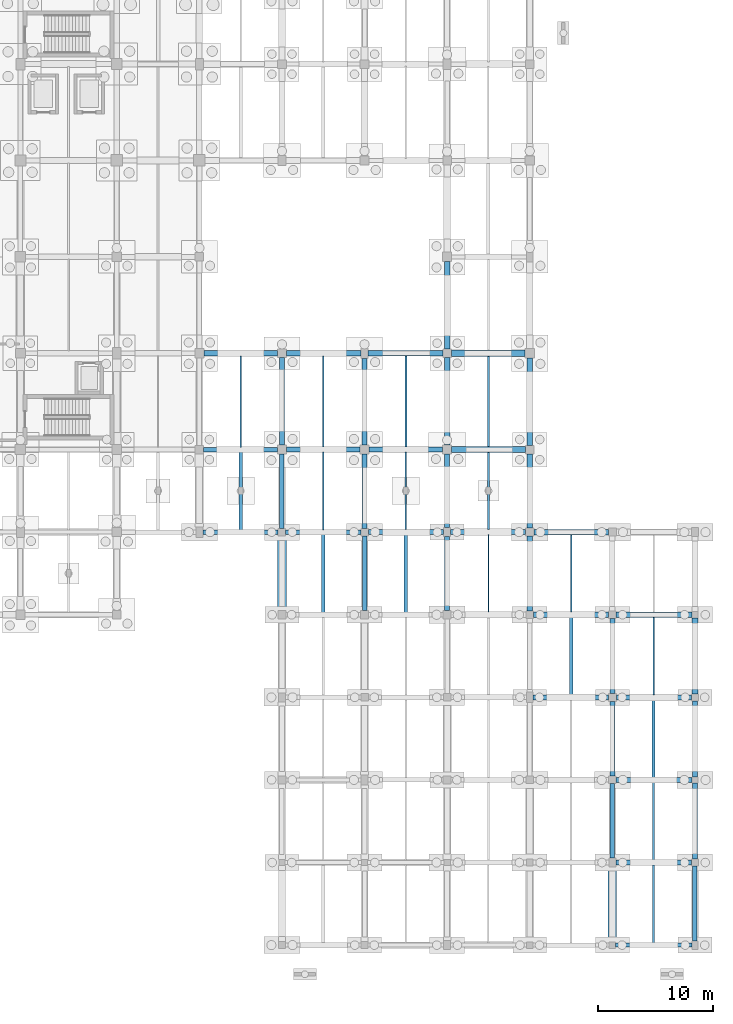
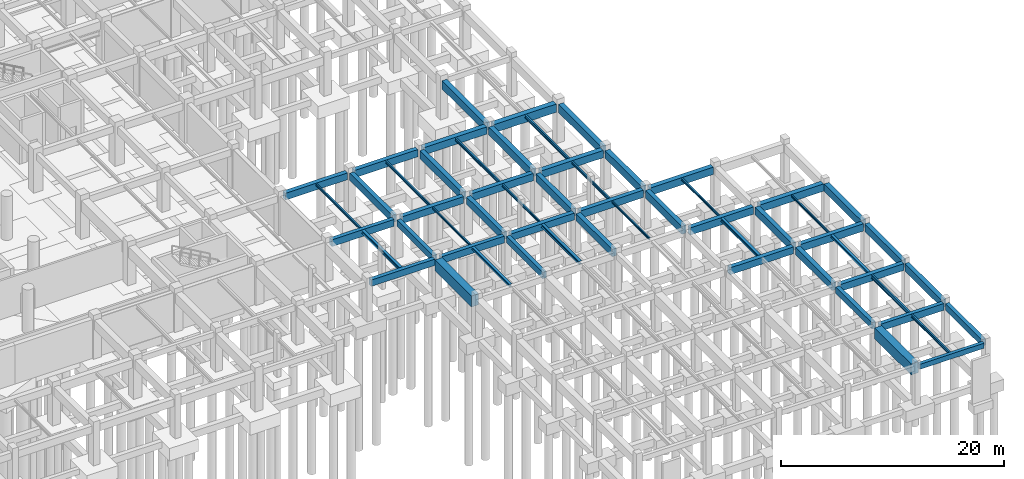
# One storey, part 27 of 44: 58 beams.
"""IFC4 building model written with IfcOpenShell, lengths in metres."""

import ifcopenshell
import ifcopenshell.guid

model = None  # the IFC model being written
_history = None  # IfcOwnerHistory: only IFC2X3 demands one
_inside = {}  # id of a spatial element -> (the spatial element, [elements in it])
_under = {}  # id of a project, library or spatial element -> (it, [spatial elements below it])
_declared = {}  # id of a project -> (the project, [libraries it declares])
_typed = {}  # id of a type object -> (the type object, [elements of that type])
_made_of = {}  # id of a material, layer set ... -> (it, [elements and type objects made of it])


def new_model(schema):
    """Start an empty IFC model of exactly this schema.

    Asked for "IFC4X3", IfcOpenShell would pick the latest addendum, in which some entities
    have other attributes; the version numbers below select the first issue.
    IFC2X3 requires an IfcOwnerHistory on every rooted entity: one is made here for all.
    """
    global model, _history
    if schema == "IFC4X3":
        model = ifcopenshell.file(schema_version=(4, 3, 0, 0))
    else:
        model = ifcopenshell.file(schema=schema)
    _inside.clear()
    _under.clear()
    _declared.clear()
    _typed.clear()
    _made_of.clear()
    _history = None
    if model.schema == "IFC2X3":
        org = make("IfcOrganization", Name="unknown")
        user = make(
            "IfcPersonAndOrganization",
            ThePerson=make("IfcPerson", FamilyName="unknown"),
            TheOrganization=org,
        )
        app = make(
            "IfcApplication",
            ApplicationDeveloper=org,
            Version="unknown",
            ApplicationFullName="unknown",
            ApplicationIdentifier="unknown",
        )
        _history = make(
            "IfcOwnerHistory",
            OwningUser=user,
            OwningApplication=app,
            ChangeAction="ADDED",
            CreationDate=0,
        )
    return model


def make(cls, **values):
    """One entity of the class cls with the attributes given. An attribute that is None is left unset."""
    return model.create_entity(
        cls, **{name: value for name, value in values.items() if value is not None}
    )


def rooted(cls, **values):
    """An entity with a GlobalId (a new one), such as an element, a storey or a relation."""
    return make(cls, GlobalId=ifcopenshell.guid.new(), OwnerHistory=_history, **values)


def si_unit(unit_type, name, prefix=None):
    """IfcSIUnit, for example si_unit("LENGTHUNIT", "METRE", prefix="MILLI")."""
    return make("IfcSIUnit", UnitType=unit_type, Prefix=prefix, Name=name)


def assignment(units):
    """IfcUnitAssignment: the units of a project."""
    return None if units is None else make("IfcUnitAssignment", Units=units)


def point(xyz):
    """IfcCartesianPoint."""
    return None if xyz is None else make("IfcCartesianPoint", Coordinates=xyz)


def direction(xyz):
    """IfcDirection."""
    return None if xyz is None else make("IfcDirection", DirectionRatios=xyz)


def frame(location, z_axis=None, x_axis=None):
    """IfcAxis2Placement3D, a coordinate frame: its origin and axes. An axis left out is left unset."""
    return make(
        "IfcAxis2Placement3D",
        Location=point(location),
        Axis=direction(z_axis),
        RefDirection=direction(x_axis),
    )


def frame_2d(location, x_axis=None):
    """IfcAxis2Placement2D, a coordinate frame in the plane: its origin and x axis."""
    return make(
        "IfcAxis2Placement2D", Location=point(location), RefDirection=direction(x_axis)
    )


def origin():
    """The frame at (0, 0, 0) with its axes left unset."""
    return frame((0.0, 0.0, 0.0))


def origin_2d():
    """The frame at (0, 0) in the plane with its x axis left unset."""
    return frame_2d((0.0, 0.0))


def place(relative_to, where):
    """IfcLocalPlacement: puts the frame where relative to a parent placement (None: the world)."""
    return make(
        "IfcLocalPlacement", PlacementRelTo=relative_to, RelativePlacement=where
    )


def context(
    kind, dimensions, precision=None, world=None, true_north=None, identifier=None
):
    """IfcGeometricRepresentationContext, for example the 3D "Model" context."""
    return make(
        "IfcGeometricRepresentationContext",
        ContextIdentifier=identifier,
        ContextType=kind,
        CoordinateSpaceDimension=dimensions,
        Precision=precision,
        WorldCoordinateSystem=world,
        TrueNorth=true_north,
    )


def subcontext(parent, identifier, kind, view, scale=None):
    """IfcGeometricRepresentationSubContext, for example "Body" below "Model"."""
    return make(
        "IfcGeometricRepresentationSubContext",
        ContextIdentifier=identifier,
        ContextType=kind,
        ParentContext=parent,
        TargetScale=scale,
        TargetView=view,
    )


def project(units=None, contexts=None):
    """IfcProject with its units and contexts."""
    return rooted(
        "IfcProject",
        Name="project",
        RepresentationContexts=contexts,
        UnitsInContext=assignment(units),
    )


def spatial(cls, under=None, at=None, **own):
    """A site, building, storey or space (cls), placed at a placement, below another one or the project."""
    s = rooted(cls, ObjectPlacement=at, **own)
    if under is not None:
        _under.setdefault(under.id(), (under, []))[1].append(s)
    return s


def profile(cls, at=None, kind="AREA", **sizes):
    """A parametric profile (cls). Its sizes go by their IFC names, for example OverallWidth=200.0."""
    return make(cls, ProfileType=kind, Position=at, **sizes)


def rectangle(**sizes):
    """IfcRectangleProfileDef."""
    return profile("IfcRectangleProfileDef", **sizes)


def i_section(**sizes):
    """IfcIShapeProfileDef."""
    return profile("IfcIShapeProfileDef", **sizes)


def extrude(swept, where, along, depth):
    """IfcExtrudedAreaSolid: the profile swept, set in the frame where, extruded along a direction by depth."""
    return make(
        "IfcExtrudedAreaSolid",
        SweptArea=swept,
        Position=where,
        ExtrudedDirection=direction(along),
        Depth=depth,
    )


def shape(context_of_items, identifier, shape_type, items):
    """IfcShapeRepresentation: the items that make up one representation, for example the "Body"."""
    return make(
        "IfcShapeRepresentation",
        ContextOfItems=context_of_items,
        RepresentationIdentifier=identifier,
        RepresentationType=shape_type,
        Items=items,
    )


def material(Name=None, Category=None):
    """IfcMaterial."""
    return make("IfcMaterial", Name=Name, Category=Category)


def material_profile(
    of_material, cross_section, Name=None, Category=None, Priority=None
):
    """IfcMaterialProfile: a cross section and its material."""
    return make(
        "IfcMaterialProfile",
        Name=Name,
        Material=of_material,
        Profile=cross_section,
        Priority=Priority,
        Category=Category,
    )


def profile_set(profiles, Name=None, composite=None):
    """IfcMaterialProfileSet."""
    return make(
        "IfcMaterialProfileSet",
        Name=Name,
        MaterialProfiles=profiles,
        CompositeProfile=composite,
    )


def made_of(thing, what):
    """Note that an element or type object is made of a material, layer set ...; save() writes the relation."""
    if what is not None:
        _made_of.setdefault(what.id(), (what, []))[1].append(thing)
    return thing


def type_object(cls, material=None, **own):
    """A type object (cls), such as IfcWallType, which elements share."""
    return made_of(rooted(cls, **own), material)


def element(
    cls,
    number,
    at=None,
    inside=None,
    cuts=None,
    type_object=None,
    material=None,
    context=None,
    identifier="Body",
    shape_type=None,
    held_by="IfcProductDefinitionShape",
    body=None,
    shapes=None,
    **own,
):
    """One element of the class cls, such as IfcWall. Its Tag is "e" and its number.

    at: its placement. inside: the storey or other place that contains it. cuts: it is an
    opening in that element (IfcRelVoidsElement). A single representation is given by context,
    identifier, shape_type and body (its items); several are given by shapes. held_by: the class
    of the entity that holds the representations. save() writes the other relations.
    """
    e = rooted(cls, Tag="e%d" % number, ObjectPlacement=at, **own)
    if body is not None:
        shapes = [shape(context, identifier, shape_type, body)]
    if shapes is not None:
        e.Representation = make(held_by, Representations=shapes)
    if inside is not None:
        _inside.setdefault(inside.id(), (inside, []))[1].append(e)
    if cuts is not None:
        rooted(
            "IfcRelVoidsElement", RelatingBuildingElement=cuts, RelatedOpeningElement=e
        )
    if type_object is not None:
        _typed.setdefault(type_object.id(), (type_object, []))[1].append(e)
    return made_of(e, material)


def aggregate(whole, parts):
    """IfcRelAggregates: a whole, such as a stair, and the parts it consists of."""
    return rooted("IfcRelAggregates", RelatingObject=whole, RelatedObjects=parts)


def save(model, path):
    """Write the relations noted so far, then the file.

    IfcRelAggregates (storeys below a building ...), IfcRelContainedInSpatialStructure (elements
    in a storey), IfcRelDefinesByType, IfcRelAssociatesMaterial and IfcRelDeclares: one each for
    every whole, place, type object, material and project.
    """
    for whole, parts in _under.values():
        aggregate(whole, parts)
    for where, things in _inside.values():
        rooted(
            "IfcRelContainedInSpatialStructure",
            RelatedElements=things,
            RelatingStructure=where,
        )
    for kind, things in _typed.values():
        rooted("IfcRelDefinesByType", RelatedObjects=things, RelatingType=kind)
    for what, things in _made_of.values():
        rooted("IfcRelAssociatesMaterial", RelatedObjects=things, RelatingMaterial=what)
    for by, libraries in _declared.values():
        rooted("IfcRelDeclares", RelatingContext=by, RelatedDefinitions=libraries)
    model.write(path)


model = new_model("IFC4")

# Units and contexts
model_context = context("Model", 3, precision=1e-05, world=origin(), true_north=direction((0.0, 1.0)))
body_context = subcontext(model_context, "Body", "Model", "MODEL_VIEW")
ifc_project = project(units=[si_unit("LENGTHUNIT", "METRE"), si_unit("AREAUNIT", "SQUARE_METRE"), si_unit("VOLUMEUNIT", "CUBIC_METRE"), si_unit("PLANEANGLEUNIT", "RADIAN"), si_unit("MASSUNIT", "GRAM", prefix="KILO")], contexts=[model_context])

# Site, building, storey
site_placement = place(None, origin())
site = spatial("IfcSite", under=ifc_project, at=site_placement, CompositionType="ELEMENT")
building_placement = place(site_placement, origin())
building = spatial("IfcBuilding", under=site, at=building_placement, Name="Korsvaeld Concert Hall", CompositionType="ELEMENT")
storey_placement = place(building_placement, frame((0.0, 0.0, -4.800048828125)))
storey = spatial("IfcBuildingStorey", under=building, at=storey_placement, Name="B1", CompositionType="ELEMENT", Elevation=-4.800048828125)

# Beams
ifc_material_1 = material(Name="Concrete C35/45", Category="concrete")
ifc_material_profile_1 = material_profile(ifc_material_1, rectangle(XDim=0.39990234375, YDim=0.699951171875, at=origin_2d()), Name="RC 400x700")
ifc_profile_set_1 = profile_set([ifc_material_profile_1], Name="Concrete C35/45")
beam_type_1 = type_object("IfcBeamType", Name="BM-RC-400x700", PredefinedType="T_BEAM", material=ifc_profile_set_1)
beam_1_placement = place(storey_placement, frame((125.10009765625, 36.0, 3.900146484375), z_axis=(1.0, 0.0, 0.0), x_axis=(0.0, 1.0, 0.0)))
element("IfcBeam", 1, at=beam_1_placement, inside=storey, type_object=beam_type_1, Name="Primary girder 17-18/F B1", PredefinedType="T_BEAM", context=body_context, shape_type="SweptSolid", body=[
    extrude(rectangle(XDim=0.39990234375, YDim=0.699951171875, at=origin_2d()), origin(), (0.0, 0.0, 1.0), 6.574951171875),
])
beam_2_placement = place(storey_placement, frame((132.0, 36.324951171875, 3.900146484375), z_axis=(0.0, 1.0, 0.0), x_axis=(-1.0, 0.0, 0.0)))
element("IfcBeam", 2, at=beam_2_placement, inside=storey, type_object=beam_type_1, Name="Primary girder 18/F-G B1", PredefinedType="T_BEAM", context=body_context, shape_type="SweptSolid", body=[
    extrude(rectangle(XDim=0.39990234375, YDim=0.699951171875, at=origin_2d()), origin(), (0.0, 0.0, 1.0), 6.47509765625),
])
beam_3_placement = place(storey_placement, frame((139.199951171875, 29.14990234375, 3.900146484375), z_axis=(0.0, 1.0, 0.0), x_axis=(-1.0, 0.0, 0.0)))
element("IfcBeam", 3, at=beam_3_placement, inside=storey, type_object=beam_type_1, Name="Primary girder 19/E-F B1", PredefinedType="T_BEAM", context=body_context, shape_type="SweptSolid", body=[
    extrude(rectangle(XDim=0.39990234375, YDim=0.699951171875, at=origin_2d()), origin(), (0.0, 0.0, 1.0), 6.525146484375),
])
beam_4_placement = place(storey_placement, frame((160.800048828125, 7.60009765625, 3.900146484375), z_axis=(0.0, 1.0, 0.0), x_axis=(-1.0, 0.0, 0.0)))
element("IfcBeam", 4, at=beam_4_placement, inside=storey, type_object=beam_type_1, Name="Primary girder 22/B-C B1", PredefinedType="T_BEAM", context=body_context, shape_type="SweptSolid", body=[
    extrude(rectangle(XDim=0.39990234375, YDim=0.699951171875, at=origin_2d()), origin(), (0.0, 0.0, 1.0), 6.474853515625),
])
beam_5_placement = place(storey_placement, frame((168.0, 0.375, 3.900146484375), z_axis=(0.0, 1.0, 0.0), x_axis=(-1.0, 0.0, 0.0)))
element("IfcBeam", 5, at=beam_5_placement, inside=storey, type_object=beam_type_1, Name="Primary girder 23/A-B B1", PredefinedType="T_BEAM", context=body_context, shape_type="SweptSolid", body=[
    extrude(rectangle(XDim=0.39990234375, YDim=0.699951171875, at=origin_2d()), origin(), (0.0, 0.0, 1.0), 6.52490234375),
])
ifc_material_profile_2 = material_profile(ifc_material_1, rectangle(XDim=0.39990234375, YDim=0.75, at=origin_2d()), Name="RC 400x750")
ifc_profile_set_2 = profile_set([ifc_material_profile_2], Name="Concrete C35/45")
beam_type_2 = type_object("IfcBeamType", Name="BM-RC-400x750", PredefinedType="T_BEAM", material=ifc_profile_set_2)
beam_6_placement = place(storey_placement, frame((161.10009765625, 7.199951171875, 3.875), z_axis=(1.0, 0.0, 0.0), x_axis=(0.0, 1.0, 0.0)))
element("IfcBeam", 6, at=beam_6_placement, inside=storey, type_object=beam_type_2, Name="Primary girder 22-23/B B1", PredefinedType="T_BEAM", context=body_context, shape_type="SweptSolid", body=[
    extrude(rectangle(XDim=0.39990234375, YDim=0.75, at=origin_2d()), origin(), (0.0, 0.0, 1.0), 6.599853515625),
])
beam_7_placement = place(storey_placement, frame((132.324951171875, 36.0, 3.875), z_axis=(1.0, 0.0, 0.0), x_axis=(0.0, 1.0, 0.0)))
element("IfcBeam", 7, at=beam_7_placement, inside=storey, type_object=beam_type_2, Name="Primary girder 18-19/F B1", PredefinedType="T_BEAM", context=body_context, shape_type="SweptSolid", body=[
    extrude(rectangle(XDim=0.39990234375, YDim=0.75, at=origin_2d()), origin(), (0.0, 0.0, 1.0), 6.550048828125),
])
beam_8_placement = place(storey_placement, frame((125.175048828125, 43.199951171875, 3.875), z_axis=(1.0, 0.0, 0.0), x_axis=(0.0, 1.0, 0.0)))
element("IfcBeam", 8, at=beam_8_placement, inside=storey, type_object=beam_type_2, Name="Primary girder 17-18/G B1", PredefinedType="T_BEAM", context=body_context, shape_type="SweptSolid", body=[
    extrude(rectangle(XDim=0.39990234375, YDim=0.75, at=origin_2d()), origin(), (0.0, 0.0, 1.0), 6.425048828125),
])
ifc_material_profile_3 = material_profile(ifc_material_1, rectangle(XDim=0.449951171875, YDim=0.75, at=origin_2d()), Name="RC 450x750")
ifc_profile_set_3 = profile_set([ifc_material_profile_3], Name="Concrete C35/45")
beam_type_3 = type_object("IfcBeamType", Name="BM-RC-450x750", PredefinedType="T_BEAM", material=ifc_profile_set_3)
beam_9_placement = place(storey_placement, frame((161.125, 14.39990234375, 3.875), z_axis=(1.0, 0.0, 0.0), x_axis=(0.0, 1.0, 0.0)))
element("IfcBeam", 9, at=beam_9_placement, inside=storey, type_object=beam_type_3, Name="Primary girder 22-23/C B1", PredefinedType="T_BEAM", context=body_context, shape_type="SweptSolid", body=[
    extrude(rectangle(XDim=0.449951171875, YDim=0.75, at=origin_2d()), origin(), (0.0, 0.0, 1.0), 6.60009765625),
])
beam_10_placement = place(storey_placement, frame((153.89990234375, 21.60009765625, 3.875), z_axis=(1.0, 0.0, 0.0), x_axis=(0.0, 1.0, 0.0)))
element("IfcBeam", 10, at=beam_10_placement, inside=storey, type_object=beam_type_3, Name="Primary girder 21-22/D B1", PredefinedType="T_BEAM", context=body_context, shape_type="SweptSolid", body=[
    extrude(rectangle(XDim=0.449951171875, YDim=0.75, at=origin_2d()), origin(), (0.0, 0.0, 1.0), 6.550048828125),
])
beam_11_placement = place(storey_placement, frame((139.52490234375, 36.0, 3.875), z_axis=(1.0, 0.0, 0.0), x_axis=(0.0, 1.0, 0.0)))
element("IfcBeam", 11, at=beam_11_placement, inside=storey, type_object=beam_type_3, Name="Primary girder 19-20/F B1", PredefinedType="T_BEAM", context=body_context, shape_type="SweptSolid", body=[
    extrude(rectangle(XDim=0.449951171875, YDim=0.75, at=origin_2d()), origin(), (0.0, 0.0, 1.0), 6.5751953125),
])
beam_12_placement = place(storey_placement, frame((132.39990234375, 43.199951171875, 3.875), z_axis=(1.0, 0.0, 0.0), x_axis=(0.0, 1.0, 0.0)))
element("IfcBeam", 12, at=beam_12_placement, inside=storey, type_object=beam_type_3, Name="Primary girder 18-19/G B1", PredefinedType="T_BEAM", context=body_context, shape_type="SweptSolid", body=[
    extrude(rectangle(XDim=0.449951171875, YDim=0.75, at=origin_2d()), origin(), (0.0, 0.0, 1.0), 6.400146484375),
])
beam_13_placement = place(storey_placement, frame((125.199951171875, 51.60009765625, 3.875), z_axis=(1.0, 0.0, 0.0), x_axis=(0.0, 1.0, 0.0)))
element("IfcBeam", 13, at=beam_13_placement, inside=storey, type_object=beam_type_3, Name="Primary girder 17-18/H B1", PredefinedType="T_BEAM", context=body_context, shape_type="SweptSolid", body=[
    extrude(rectangle(XDim=0.449951171875, YDim=0.75, at=origin_2d()), origin(), (0.0, 0.0, 1.0), 6.425048828125),
])
ifc_material_profile_4 = material_profile(ifc_material_1, rectangle(XDim=0.449951171875, YDim=0.800048828125, at=origin_2d()), Name="RC 450x800")
ifc_profile_set_4 = profile_set([ifc_material_profile_4], Name="Concrete C35/45")
beam_type_4 = type_object("IfcBeamType", Name="BM-RC-450x800", PredefinedType="T_BEAM", material=ifc_profile_set_4)
for number, where, z_axis, x_axis, name in (
    (14, (161.14990234375, 21.60009765625, 3.85009765625), (1.0, 0.0, 0.0), (0.0, 1.0, 0.0), "Primary girder 22-23/D B1"),
    (15, (153.925048828125, 28.800048828125, 3.85009765625), (1.0, 0.0, 0.0), (0.0, 1.0, 0.0), "Primary girder 21-22/E B1"),
    (16, (146.699951171875, 36.0, 3.85009765625), (1.0, 0.0, 0.0), (0.0, 1.0, 0.0), "Primary girder 20-21/F B1"),
):
    element("IfcBeam", number, at=place(storey_placement, frame(where, z_axis=z_axis, x_axis=x_axis)), inside=storey, type_object=beam_type_4, Name=name, PredefinedType="T_BEAM", context=body_context, shape_type="SweptSolid", body=[
        extrude(rectangle(XDim=0.449951171875, YDim=0.800048828125, at=origin_2d()), origin(), (0.0, 0.0, 1.0), 6.550048828125),
    ])
beam_14_placement = place(storey_placement, frame((139.60009765625, 43.199951171875, 3.85009765625), z_axis=(1.0, 0.0, 0.0), x_axis=(0.0, 1.0, 0.0)))
element("IfcBeam", 17, at=beam_14_placement, inside=storey, type_object=beam_type_4, Name="Primary girder 19-20/G B1", PredefinedType="T_BEAM", context=body_context, shape_type="SweptSolid", body=[
    extrude(rectangle(XDim=0.449951171875, YDim=0.800048828125, at=origin_2d()), origin(), (0.0, 0.0, 1.0), 6.39990234375),
])
beam_15_placement = place(storey_placement, frame((132.375, 51.60009765625, 3.85009765625), z_axis=(1.0, 0.0, 0.0), x_axis=(0.0, 1.0, 0.0)))
element("IfcBeam", 18, at=beam_15_placement, inside=storey, type_object=beam_type_4, Name="Primary girder 18-19/H B1", PredefinedType="T_BEAM", context=body_context, shape_type="SweptSolid", body=[
    extrude(rectangle(XDim=0.449951171875, YDim=0.800048828125, at=origin_2d()), origin(), (0.0, 0.0, 1.0), 6.52490234375),
])
beam_16_placement = place(storey_placement, frame((132.0, 43.60009765625, 3.85009765625), z_axis=(0.0, 1.0, 0.0), x_axis=(-1.0, 0.0, 0.0)))
element("IfcBeam", 19, at=beam_16_placement, inside=storey, type_object=beam_type_4, Name="Primary girder 18/G-H B1", PredefinedType="T_BEAM", context=body_context, shape_type="SweptSolid", body=[
    extrude(rectangle(XDim=0.449951171875, YDim=0.800048828125, at=origin_2d()), origin(), (0.0, 0.0, 1.0), 7.625),
])
beam_17_placement = place(storey_placement, frame((139.199951171875, 36.324951171875, 3.85009765625), z_axis=(0.0, 1.0, 0.0), x_axis=(-1.0, 0.0, 0.0)))
element("IfcBeam", 20, at=beam_17_placement, inside=storey, type_object=beam_type_4, Name="Primary girder 19/F-G B1", PredefinedType="T_BEAM", context=body_context, shape_type="SweptSolid", body=[
    extrude(rectangle(XDim=0.449951171875, YDim=0.800048828125, at=origin_2d()), origin(), (0.0, 0.0, 1.0), 6.47509765625),
])
beam_18_placement = place(storey_placement, frame((146.39990234375, 29.14990234375, 3.85009765625), z_axis=(0.0, 1.0, 0.0), x_axis=(-1.0, 0.0, 0.0)))
element("IfcBeam", 21, at=beam_18_placement, inside=storey, type_object=beam_type_4, Name="Primary girder 20/E-F B1", PredefinedType="T_BEAM", context=body_context, shape_type="SweptSolid", body=[
    extrude(rectangle(XDim=0.449951171875, YDim=0.800048828125, at=origin_2d()), origin(), (0.0, 0.0, 1.0), 6.4501953125),
])
beam_19_placement = place(storey_placement, frame((160.800048828125, 14.72509765625, 3.85009765625), z_axis=(0.0, 1.0, 0.0), x_axis=(-1.0, 0.0, 0.0)))
element("IfcBeam", 22, at=beam_19_placement, inside=storey, type_object=beam_type_4, Name="Primary girder 22/C-D B1", PredefinedType="T_BEAM", context=body_context, shape_type="SweptSolid", body=[
    extrude(rectangle(XDim=0.449951171875, YDim=0.800048828125, at=origin_2d()), origin(), (0.0, 0.0, 1.0), 6.52490234375),
])
beam_20_placement = place(storey_placement, frame((168.0, 7.5, 3.85009765625), z_axis=(0.0, 1.0, 0.0), x_axis=(-1.0, 0.0, 0.0)))
element("IfcBeam", 23, at=beam_20_placement, inside=storey, type_object=beam_type_4, Name="Primary girder 23/B-C B1", PredefinedType="T_BEAM", context=body_context, shape_type="SweptSolid", body=[
    extrude(rectangle(XDim=0.449951171875, YDim=0.800048828125, at=origin_2d()), origin(), (0.0, 0.0, 1.0), 6.625),
])
ifc_material_2 = material(Name="Concrete C40/50", Category="concrete")
ifc_material_profile_5 = material_profile(ifc_material_2, rectangle(XDim=0.449951171875, YDim=0.85009765625, at=origin_2d()), Name="RC 450x850")
ifc_profile_set_5 = profile_set([ifc_material_profile_5], Name="Concrete C40/50")
beam_type_5 = type_object("IfcBeamType", Name="BM-RC-450x850", PredefinedType="T_BEAM", material=ifc_profile_set_5)
beam_21_placement = place(storey_placement, frame((139.199951171875, 43.60009765625, 3.824951171875), z_axis=(0.0, 1.0, 0.0), x_axis=(-1.0, 0.0, 0.0)))
element("IfcBeam", 24, at=beam_21_placement, inside=storey, type_object=beam_type_5, Name="Primary girder 19/G-H B1", PredefinedType="T_BEAM", context=body_context, shape_type="SweptSolid", body=[
    extrude(rectangle(XDim=0.449951171875, YDim=0.85009765625, at=origin_2d()), origin(), (0.0, 0.0, 1.0), 7.5498046875),
])
beam_22_placement = place(storey_placement, frame((146.39990234375, 36.39990234375, 3.824951171875), z_axis=(0.0, 1.0, 0.0), x_axis=(-1.0, 0.0, 0.0)))
element("IfcBeam", 25, at=beam_22_placement, inside=storey, type_object=beam_type_5, Name="Primary girder 20/F-G B1", PredefinedType="T_BEAM", context=body_context, shape_type="SweptSolid", body=[
    extrude(rectangle(XDim=0.449951171875, YDim=0.85009765625, at=origin_2d()), origin(), (0.0, 0.0, 1.0), 6.400146484375),
])
beam_23_placement = place(storey_placement, frame((153.60009765625, 29.125, 3.824951171875), z_axis=(0.0, 1.0, 0.0), x_axis=(-1.0, 0.0, 0.0)))
element("IfcBeam", 26, at=beam_23_placement, inside=storey, type_object=beam_type_5, Name="Primary girder 21/E-F B1", PredefinedType="T_BEAM", context=body_context, shape_type="SweptSolid", body=[
    extrude(rectangle(XDim=0.449951171875, YDim=0.85009765625, at=origin_2d()), origin(), (0.0, 0.0, 1.0), 6.52490234375),
])
beam_24_placement = place(storey_placement, frame((160.800048828125, 21.949951171875, 3.824951171875), z_axis=(0.0, 1.0, 0.0), x_axis=(-1.0, 0.0, 0.0)))
element("IfcBeam", 27, at=beam_24_placement, inside=storey, type_object=beam_type_5, Name="Primary girder 22/D-E B1", PredefinedType="T_BEAM", context=body_context, shape_type="SweptSolid", body=[
    extrude(rectangle(XDim=0.449951171875, YDim=0.85009765625, at=origin_2d()), origin(), (0.0, 0.0, 1.0), 6.525146484375),
])
beam_25_placement = place(storey_placement, frame((168.0, 14.675048828125, 3.824951171875), z_axis=(0.0, 1.0, 0.0), x_axis=(-1.0, 0.0, 0.0)))
element("IfcBeam", 28, at=beam_25_placement, inside=storey, type_object=beam_type_5, Name="Primary girder 23/C-D B1", PredefinedType="T_BEAM", context=body_context, shape_type="SweptSolid", body=[
    extrude(rectangle(XDim=0.449951171875, YDim=0.85009765625, at=origin_2d()), origin(), (0.0, 0.0, 1.0), 6.625),
])
ifc_material_profile_6 = material_profile(ifc_material_2, rectangle(XDim=0.5, YDim=0.800048828125, at=origin_2d()), Name="RC 500x800")
ifc_profile_set_6 = profile_set([ifc_material_profile_6], Name="Concrete C40/50")
beam_type_6 = type_object("IfcBeamType", Name="BM-RC-500x800", PredefinedType="T_BEAM", material=ifc_profile_set_6)
beam_26_placement = place(storey_placement, frame((161.125, 28.800048828125, 3.85009765625), z_axis=(1.0, 0.0, 0.0), x_axis=(0.0, 1.0, 0.0)))
element("IfcBeam", 29, at=beam_26_placement, inside=storey, type_object=beam_type_6, Name="Primary girder 22-23/E B1", PredefinedType="T_BEAM", context=body_context, shape_type="SweptSolid", body=[
    extrude(rectangle(XDim=0.5, YDim=0.800048828125, at=origin_2d()), origin(), (0.0, 0.0, 1.0), 6.60009765625),
])
beam_27_placement = place(storey_placement, frame((153.949951171875, 36.0, 3.85009765625), z_axis=(1.0, 0.0, 0.0), x_axis=(0.0, 1.0, 0.0)))
element("IfcBeam", 30, at=beam_27_placement, inside=storey, type_object=beam_type_6, Name="Primary girder 21-22/F B1", PredefinedType="T_BEAM", context=body_context, shape_type="SweptSolid", body=[
    extrude(rectangle(XDim=0.5, YDim=0.800048828125, at=origin_2d()), origin(), (0.0, 0.0, 1.0), 6.5),
])
beam_28_placement = place(storey_placement, frame((146.800048828125, 43.199951171875, 3.85009765625), z_axis=(1.0, 0.0, 0.0), x_axis=(0.0, 1.0, 0.0)))
element("IfcBeam", 31, at=beam_28_placement, inside=storey, type_object=beam_type_6, Name="Primary girder 20-21/G B1", PredefinedType="T_BEAM", context=body_context, shape_type="SweptSolid", body=[
    extrude(rectangle(XDim=0.5, YDim=0.800048828125, at=origin_2d()), origin(), (0.0, 0.0, 1.0), 6.425048828125),
])
beam_29_placement = place(storey_placement, frame((139.5, 51.60009765625, 3.85009765625), z_axis=(1.0, 0.0, 0.0), x_axis=(0.0, 1.0, 0.0)))
element("IfcBeam", 32, at=beam_29_placement, inside=storey, type_object=beam_type_6, Name="Primary girder 19-20/H B1", PredefinedType="T_BEAM", context=body_context, shape_type="SweptSolid", body=[
    extrude(rectangle(XDim=0.5, YDim=0.800048828125, at=origin_2d()), origin(), (0.0, 0.0, 1.0), 6.52490234375),
])
ifc_material_profile_7 = material_profile(ifc_material_2, rectangle(XDim=0.5, YDim=0.85009765625, at=origin_2d()), Name="RC 500x850")
ifc_profile_set_7 = profile_set([ifc_material_profile_7], Name="Concrete C40/50")
beam_type_7 = type_object("IfcBeamType", Name="BM-RC-500x850", PredefinedType="T_BEAM", material=ifc_profile_set_7)
beam_30_placement = place(storey_placement, frame((146.39990234375, 43.60009765625, 3.824951171875), z_axis=(0.0, 1.0, 0.0), x_axis=(-1.0, 0.0, 0.0)))
element("IfcBeam", 33, at=beam_30_placement, inside=storey, type_object=beam_type_7, Name="Primary girder 20/G-H B1", PredefinedType="T_BEAM", context=body_context, shape_type="SweptSolid", body=[
    extrude(rectangle(XDim=0.5, YDim=0.85009765625, at=origin_2d()), origin(), (0.0, 0.0, 1.0), 7.625),
])
beam_31_placement = place(storey_placement, frame((153.60009765625, 36.35009765625, 3.824951171875), z_axis=(0.0, 1.0, 0.0), x_axis=(-1.0, 0.0, 0.0)))
element("IfcBeam", 34, at=beam_31_placement, inside=storey, type_object=beam_type_7, Name="Primary girder 21/F-G B1", PredefinedType="T_BEAM", context=body_context, shape_type="SweptSolid", body=[
    extrude(rectangle(XDim=0.5, YDim=0.85009765625, at=origin_2d()), origin(), (0.0, 0.0, 1.0), 6.474853515625),
])
beam_32_placement = place(storey_placement, frame((168.0, 21.89990234375, 3.824951171875), z_axis=(0.0, 1.0, 0.0), x_axis=(-1.0, 0.0, 0.0)))
element("IfcBeam", 35, at=beam_32_placement, inside=storey, type_object=beam_type_7, Name="Primary girder 23/D-E B1", PredefinedType="T_BEAM", context=body_context, shape_type="SweptSolid", body=[
    extrude(rectangle(XDim=0.5, YDim=0.85009765625, at=origin_2d()), origin(), (0.0, 0.0, 1.0), 6.625),
])
ifc_material_profile_8 = material_profile(ifc_material_2, rectangle(XDim=0.5, YDim=0.89990234375, at=origin_2d()), Name="RC 500x900")
ifc_profile_set_8 = profile_set([ifc_material_profile_8], Name="Concrete C40/50")
beam_type_8 = type_object("IfcBeamType", Name="BM-RC-500x900", PredefinedType="T_BEAM", material=ifc_profile_set_8)
for number, where, z_axis, x_axis, name in (
    (36, (146.39990234375, 51.97509765625, 3.800048828125), (0.0, 1.0, 0.0), (-1.0, 0.0, 0.0), "Primary girder 20/H-J B1"),
    (37, (153.60009765625, 43.574951171875, 3.800048828125), (0.0, 1.0, 0.0), (-1.0, 0.0, 0.0), "Primary girder 21/G-H B1"),
):
    element("IfcBeam", number, at=place(storey_placement, frame(where, z_axis=z_axis, x_axis=x_axis)), inside=storey, type_object=beam_type_8, Name=name, PredefinedType="T_BEAM", context=body_context, shape_type="SweptSolid", body=[
        extrude(rectangle(XDim=0.5, YDim=0.89990234375, at=origin_2d()), origin(), (0.0, 0.0, 1.0), 7.625),
    ])
ifc_material_profile_9 = material_profile(ifc_material_2, rectangle(XDim=0.550048828125, YDim=0.89990234375, at=origin_2d()), Name="RC 550x900")
ifc_profile_set_9 = profile_set([ifc_material_profile_9], Name="Concrete C40/50")
beam_type_9 = type_object("IfcBeamType", Name="BM-RC-550x900", PredefinedType="T_BEAM", material=ifc_profile_set_9)
beam_33_placement = place(storey_placement, frame((146.77490234375, 51.60009765625, 3.800048828125), z_axis=(1.0, 0.0, 0.0), x_axis=(0.0, 1.0, 0.0)))
element("IfcBeam", 38, at=beam_33_placement, inside=storey, type_object=beam_type_9, Name="Primary girder 20-21/H B1", PredefinedType="T_BEAM", context=body_context, shape_type="SweptSolid", body=[
    extrude(rectangle(XDim=0.550048828125, YDim=0.89990234375, at=origin_2d()), origin(), (0.0, 0.0, 1.0), 6.425048828125),
])
ifc_material_profile_10 = material_profile(ifc_material_2, rectangle(XDim=0.75, YDim=1.199951171875, at=origin_2d()), Name="RC 750x1200")
ifc_profile_set_10 = profile_set([ifc_material_profile_10], Name="Concrete C40/50")
beam_type_10 = type_object("IfcBeamType", Name="BM-RC-750x1200", PredefinedType="T_BEAM", material=ifc_profile_set_10)
for number, where, z_axis, x_axis, name in (
    (39, (132.0, 29.14990234375, 3.650146484375), (0.0, 1.0, 0.0), (-1.0, 0.0, 0.0), "Primary girder 18/E-F B1"),
    (40, (160.800048828125, 0.27490234375, 3.650146484375), (0.0, 1.0, 0.0), (-1.0, 0.0, 0.0), "Primary girder 22/A-B B1"),
):
    element("IfcBeam", number, at=place(storey_placement, frame(where, z_axis=z_axis, x_axis=x_axis)), inside=storey, type_object=beam_type_10, Name=name, PredefinedType="T_BEAM", context=body_context, shape_type="SweptSolid", body=[
        extrude(rectangle(XDim=0.75, YDim=1.199951171875, at=origin_2d()), origin(), (0.0, 0.0, 1.0), 6.525146484375),
    ])
ifc_material_profile_11 = material_profile(ifc_material_1, rectangle(XDim=0.35009765625, YDim=0.550048828125, at=origin_2d()), Name="RC 350x550")
ifc_profile_set_11 = profile_set([ifc_material_profile_11], Name="Concrete C35/45")
beam_type_11 = type_object("IfcBeamType", Name="BM-SP-350x550", PredefinedType="SPANDREL", material=ifc_profile_set_11)
beam_34_placement = place(storey_placement, frame((161.074951171875, 0.0, 3.97509765625), z_axis=(1.0, 0.0, 0.0), x_axis=(0.0, 1.0, 0.0)))
element("IfcBeam", 41, at=beam_34_placement, inside=storey, type_object=beam_type_11, Name="Primary girder 22-23/A B1", PredefinedType="SPANDREL", context=body_context, shape_type="SweptSolid", body=[
    extrude(rectangle(XDim=0.35009765625, YDim=0.550048828125, at=origin_2d()), origin(), (0.0, 0.0, 1.0), 6.650146484375),
])
ifc_material_3 = material(Name="Steel S355J2", Category="steel")
ifc_material_profile_12 = material_profile(ifc_material_3, i_section(OverallWidth=0.280029296875, OverallDepth=0.27001953125, WebThickness=0.008056640625, FlangeThickness=0.012939453125, FilletRadius=0.02392578125, at=origin_2d()), Name="HEA 280")
ifc_profile_set_12 = profile_set([ifc_material_profile_12], Name="Steel S355J2")
beam_type_12 = type_object("IfcBeamType", Name="BM-STL-HEA280", PredefinedType="BEAM", material=ifc_profile_set_12)
beam_35_placement = place(storey_placement, frame((135.60009765625, 29.0, 4.114990234375), z_axis=(0.0, 1.0, 0.0), x_axis=(-1.0, 0.0, 0.0)))
element("IfcBeam", 42, at=beam_35_placement, inside=storey, type_object=beam_type_12, Name="Secondary steel floor beam 18-19/E B1", PredefinedType="BEAM", context=body_context, shape_type="SweptSolid", body=[
    extrude(i_section(OverallWidth=0.280029296875, OverallDepth=0.27001953125, WebThickness=0.008056640625, FlangeThickness=0.012939453125, FilletRadius=0.02392578125, at=origin_2d()), origin(), (0.0, 0.0, 1.0), 6.800048828125),
])
beam_36_placement = place(storey_placement, frame((164.39990234375, 14.625, 4.114990234375), z_axis=(0.0, 1.0, 0.0), x_axis=(-1.0, 0.0, 0.0)))
element("IfcBeam", 43, at=beam_36_placement, inside=storey, type_object=beam_type_12, Name="Secondary steel floor beam 22-23/C B1", PredefinedType="BEAM", context=body_context, shape_type="SweptSolid", body=[
    extrude(i_section(OverallWidth=0.280029296875, OverallDepth=0.27001953125, WebThickness=0.008056640625, FlangeThickness=0.012939453125, FilletRadius=0.02392578125, at=origin_2d()), origin(), (0.0, 0.0, 1.0), 6.75),
])
ifc_material_profile_13 = material_profile(ifc_material_3, i_section(OverallWidth=0.300048828125, OverallDepth=0.35009765625, WebThickness=0.010009765625, FlangeThickness=0.017578125, FilletRadius=0.027099609375, at=origin_2d()), Name="HEA 360")
ifc_profile_set_13 = profile_set([ifc_material_profile_13], Name="Steel S355J2")
beam_type_13 = type_object("IfcBeamType", Name="BM-STL-HEA360", PredefinedType="BEAM", material=ifc_profile_set_13)
beam_37_placement = place(storey_placement, frame((128.39990234375, 36.199951171875, 4.074951171875), z_axis=(0.0, 1.0, 0.0), x_axis=(-1.0, 0.0, 0.0)))
element("IfcBeam", 44, at=beam_37_placement, inside=storey, type_object=beam_type_13, Name="Secondary steel floor beam 17-18/F B1", PredefinedType="BEAM", context=body_context, shape_type="SweptSolid", body=[
    extrude(i_section(OverallWidth=0.300048828125, OverallDepth=0.35009765625, WebThickness=0.010009765625, FlangeThickness=0.017578125, FilletRadius=0.027099609375, at=origin_2d()), origin(), (0.0, 0.0, 1.0), 6.800048828125),
])
beam_38_placement = place(storey_placement, frame((142.800048828125, 29.0, 4.074951171875), z_axis=(0.0, 1.0, 0.0), x_axis=(-1.0, 0.0, 0.0)))
element("IfcBeam", 45, at=beam_38_placement, inside=storey, type_object=beam_type_13, Name="Secondary steel floor beam 19-20/E B1", PredefinedType="BEAM", context=body_context, shape_type="SweptSolid", body=[
    extrude(i_section(OverallWidth=0.300048828125, OverallDepth=0.35009765625, WebThickness=0.010009765625, FlangeThickness=0.017578125, FilletRadius=0.027099609375, at=origin_2d()), origin(), (0.0, 0.0, 1.0), 6.77490234375),
])
beam_39_placement = place(storey_placement, frame((157.199951171875, 21.824951171875, 4.074951171875), z_axis=(0.0, 1.0, 0.0), x_axis=(-1.0, 0.0, 0.0)))
element("IfcBeam", 46, at=beam_39_placement, inside=storey, type_object=beam_type_13, Name="Secondary steel floor beam 21-22/D B1", PredefinedType="BEAM", context=body_context, shape_type="SweptSolid", body=[
    extrude(i_section(OverallWidth=0.300048828125, OverallDepth=0.35009765625, WebThickness=0.010009765625, FlangeThickness=0.017578125, FilletRadius=0.027099609375, at=origin_2d()), origin(), (0.0, 0.0, 1.0), 6.75),
])
ifc_material_profile_14 = material_profile(ifc_material_3, i_section(OverallWidth=0.1201171875, OverallDepth=0.239990234375, WebThickness=0.006103515625, FlangeThickness=0.009765625, FilletRadius=0.014892578125, at=origin_2d()), Name="IPE 240")
ifc_profile_set_14 = profile_set([ifc_material_profile_14], Name="Steel S355J2")
beam_type_14 = type_object("IfcBeamType", Name="BM-STL-IPE240", PredefinedType="JOIST", material=ifc_profile_set_14)
beam_40_placement = place(storey_placement, frame((135.60009765625, 36.199951171875, 4.130126953125), z_axis=(0.0, 1.0, 0.0), x_axis=(-1.0, 0.0, 0.0)))
element("IfcBeam", 47, at=beam_40_placement, inside=storey, type_object=beam_type_14, Name="Secondary steel floor beam 18-19/F B1", PredefinedType="JOIST", context=body_context, shape_type="SweptSolid", body=[
    extrude(i_section(OverallWidth=0.1201171875, OverallDepth=0.239990234375, WebThickness=0.006103515625, FlangeThickness=0.009765625, FilletRadius=0.014892578125, at=origin_2d()), origin(), (0.0, 0.0, 1.0), 6.775146484375),
])
beam_41_placement = place(storey_placement, frame((150.0, 29.02490234375, 4.130126953125), z_axis=(0.0, 1.0, 0.0), x_axis=(-1.0, 0.0, 0.0)))
element("IfcBeam", 48, at=beam_41_placement, inside=storey, type_object=beam_type_14, Name="Secondary steel floor beam 20-21/E B1", PredefinedType="JOIST", context=body_context, shape_type="SweptSolid", body=[
    extrude(i_section(OverallWidth=0.1201171875, OverallDepth=0.239990234375, WebThickness=0.006103515625, FlangeThickness=0.009765625, FilletRadius=0.014892578125, at=origin_2d()), origin(), (0.0, 0.0, 1.0), 6.75),
])
beam_42_placement = place(storey_placement, frame((164.39990234375, 21.824951171875, 4.130126953125), z_axis=(0.0, 1.0, 0.0), x_axis=(-1.0, 0.0, 0.0)))
element("IfcBeam", 49, at=beam_42_placement, inside=storey, type_object=beam_type_14, Name="Secondary steel floor beam 22-23/D B1", PredefinedType="JOIST", context=body_context, shape_type="SweptSolid", body=[
    extrude(i_section(OverallWidth=0.1201171875, OverallDepth=0.239990234375, WebThickness=0.006103515625, FlangeThickness=0.009765625, FilletRadius=0.014892578125, at=origin_2d()), origin(), (0.0, 0.0, 1.0), 6.72509765625),
])
ifc_material_profile_15 = material_profile(ifc_material_3, i_section(OverallWidth=0.135009765625, OverallDepth=0.27001953125, WebThickness=0.006591796875, FlangeThickness=0.01025390625, FilletRadius=0.014892578125, at=origin_2d()), Name="IPE 270")
ifc_profile_set_15 = profile_set([ifc_material_profile_15], Name="Steel S355J2")
beam_type_15 = type_object("IfcBeamType", Name="BM-STL-IPE270", PredefinedType="JOIST", material=ifc_profile_set_15)
beam_43_placement = place(storey_placement, frame((128.39990234375, 43.39990234375, 4.114990234375), z_axis=(0.0, 1.0, 0.0), x_axis=(-1.0, 0.0, 0.0)))
element("IfcBeam", 50, at=beam_43_placement, inside=storey, type_object=beam_type_15, Name="Secondary steel floor beam 17-18/G B1", PredefinedType="JOIST", context=body_context, shape_type="SweptSolid", body=[
    extrude(i_section(OverallWidth=0.135009765625, OverallDepth=0.27001953125, WebThickness=0.006591796875, FlangeThickness=0.01025390625, FilletRadius=0.014892578125, at=origin_2d()), origin(), (0.0, 0.0, 1.0), 7.97509765625),
])
beam_44_placement = place(storey_placement, frame((142.800048828125, 36.22509765625, 4.114990234375), z_axis=(0.0, 1.0, 0.0), x_axis=(-1.0, 0.0, 0.0)))
element("IfcBeam", 51, at=beam_44_placement, inside=storey, type_object=beam_type_15, Name="Secondary steel floor beam 19-20/F B1", PredefinedType="JOIST", context=body_context, shape_type="SweptSolid", body=[
    extrude(i_section(OverallWidth=0.135009765625, OverallDepth=0.27001953125, WebThickness=0.006591796875, FlangeThickness=0.01025390625, FilletRadius=0.014892578125, at=origin_2d()), origin(), (0.0, 0.0, 1.0), 6.75),
])
beam_45_placement = place(storey_placement, frame((157.199951171875, 29.02490234375, 4.114990234375), z_axis=(0.0, 1.0, 0.0), x_axis=(-1.0, 0.0, 0.0)))
element("IfcBeam", 52, at=beam_45_placement, inside=storey, type_object=beam_type_15, Name="Secondary steel floor beam 21-22/E B1", PredefinedType="JOIST", context=body_context, shape_type="SweptSolid", body=[
    extrude(i_section(OverallWidth=0.135009765625, OverallDepth=0.27001953125, WebThickness=0.006591796875, FlangeThickness=0.01025390625, FilletRadius=0.014892578125, at=origin_2d()), origin(), (0.0, 0.0, 1.0), 6.72509765625),
])
ifc_material_profile_16 = material_profile(ifc_material_3, i_section(OverallWidth=0.14990234375, OverallDepth=0.300048828125, WebThickness=0.007080078125, FlangeThickness=0.0107421875, FilletRadius=0.014892578125, at=origin_2d()), Name="IPE 300")
ifc_profile_set_16 = profile_set([ifc_material_profile_16], Name="Steel S355J2")
beam_type_16 = type_object("IfcBeamType", Name="BM-STL-IPE300", PredefinedType="JOIST", material=ifc_profile_set_16)
beam_46_placement = place(storey_placement, frame((135.60009765625, 43.425048828125, 4.10009765625), z_axis=(0.0, 1.0, 0.0), x_axis=(-1.0, 0.0, 0.0)))
element("IfcBeam", 53, at=beam_46_placement, inside=storey, type_object=beam_type_16, Name="Secondary steel floor beam 18-19/G B1", PredefinedType="JOIST", context=body_context, shape_type="SweptSolid", body=[
    extrude(i_section(OverallWidth=0.14990234375, OverallDepth=0.300048828125, WebThickness=0.007080078125, FlangeThickness=0.0107421875, FilletRadius=0.014892578125, at=origin_2d()), origin(), (0.0, 0.0, 1.0), 7.949951171875),
])
beam_47_placement = place(storey_placement, frame((150.0, 36.22509765625, 4.10009765625), z_axis=(0.0, 1.0, 0.0), x_axis=(-1.0, 0.0, 0.0)))
element("IfcBeam", 54, at=beam_47_placement, inside=storey, type_object=beam_type_16, Name="Secondary steel floor beam 20-21/F B1", PredefinedType="JOIST", context=body_context, shape_type="SweptSolid", body=[
    extrude(i_section(OverallWidth=0.14990234375, OverallDepth=0.300048828125, WebThickness=0.007080078125, FlangeThickness=0.0107421875, FilletRadius=0.014892578125, at=origin_2d()), origin(), (0.0, 0.0, 1.0), 6.724853515625),
])
ifc_material_profile_17 = material_profile(ifc_material_3, i_section(OverallWidth=0.159912109375, OverallDepth=0.330078125, WebThickness=0.007568359375, FlangeThickness=0.011474609375, FilletRadius=0.01806640625, at=origin_2d()), Name="IPE 330")
ifc_profile_set_17 = profile_set([ifc_material_profile_17], Name="Steel S355J2")
beam_type_17 = type_object("IfcBeamType", Name="BM-STL-IPE330", PredefinedType="BEAM", material=ifc_profile_set_17)
beam_48_placement = place(storey_placement, frame((142.800048828125, 43.425048828125, 4.0849609375), z_axis=(0.0, 1.0, 0.0), x_axis=(-1.0, 0.0, 0.0)))
element("IfcBeam", 55, at=beam_48_placement, inside=storey, type_object=beam_type_17, Name="Secondary steel floor beam 19-20/G B1", PredefinedType="BEAM", context=body_context, shape_type="SweptSolid", body=[
    extrude(i_section(OverallWidth=0.159912109375, OverallDepth=0.330078125, WebThickness=0.007568359375, FlangeThickness=0.011474609375, FilletRadius=0.01806640625, at=origin_2d()), origin(), (0.0, 0.0, 1.0), 7.925048828125),
])
beam_49_placement = place(storey_placement, frame((164.39990234375, 0.175048828125, 4.0849609375), z_axis=(0.0, 1.0, 0.0), x_axis=(-1.0, 0.0, 0.0)))
element("IfcBeam", 56, at=beam_49_placement, inside=storey, type_object=beam_type_17, Name="Secondary steel floor beam 22-23/A B1", PredefinedType="BEAM", context=body_context, shape_type="SweptSolid", body=[
    extrude(i_section(OverallWidth=0.159912109375, OverallDepth=0.330078125, WebThickness=0.007568359375, FlangeThickness=0.011474609375, FilletRadius=0.01806640625, at=origin_2d()), origin(), (0.0, 0.0, 1.0), 6.824951171875),
])
ifc_material_profile_18 = material_profile(ifc_material_3, i_section(OverallWidth=0.169921875, OverallDepth=0.360107421875, WebThickness=0.008056640625, FlangeThickness=0.0126953125, FilletRadius=0.01806640625, at=origin_2d()), Name="IPE 360")
ifc_profile_set_18 = profile_set([ifc_material_profile_18], Name="Steel S355J2")
beam_type_18 = type_object("IfcBeamType", Name="BM-STL-IPE360", PredefinedType="BEAM", material=ifc_profile_set_18)
beam_50_placement = place(storey_placement, frame((150.0, 43.449951171875, 4.070068359375), z_axis=(0.0, 1.0, 0.0), x_axis=(-1.0, 0.0, 0.0)))
element("IfcBeam", 57, at=beam_50_placement, inside=storey, type_object=beam_type_18, Name="Secondary steel floor beam 20-21/G B1", PredefinedType="BEAM", context=body_context, shape_type="SweptSolid", body=[
    extrude(i_section(OverallWidth=0.169921875, OverallDepth=0.360107421875, WebThickness=0.008056640625, FlangeThickness=0.0126953125, FilletRadius=0.01806640625, at=origin_2d()), origin(), (0.0, 0.0, 1.0), 7.875),
])
ifc_material_profile_19 = material_profile(ifc_material_3, i_section(OverallWidth=0.179931640625, OverallDepth=0.39990234375, WebThickness=0.008544921875, FlangeThickness=0.013427734375, FilletRadius=0.02099609375, at=origin_2d()), Name="IPE 400")
ifc_profile_set_19 = profile_set([ifc_material_profile_19], Name="Steel S355J2")
beam_type_19 = type_object("IfcBeamType", Name="BM-STL-IPE400", PredefinedType="BEAM", material=ifc_profile_set_19)
beam_51_placement = place(storey_placement, frame((164.39990234375, 7.39990234375, 4.050048828125), z_axis=(0.0, 1.0, 0.0), x_axis=(-1.0, 0.0, 0.0)))
element("IfcBeam", 58, at=beam_51_placement, inside=storey, type_object=beam_type_19, Name="Secondary steel floor beam 22-23/B B1", PredefinedType="BEAM", context=body_context, shape_type="SweptSolid", body=[
    extrude(i_section(OverallWidth=0.179931640625, OverallDepth=0.39990234375, WebThickness=0.008544921875, FlangeThickness=0.013427734375, FilletRadius=0.02099609375, at=origin_2d()), origin(), (0.0, 0.0, 1.0), 6.775146484375),
])

save(model, "model.ifc")
